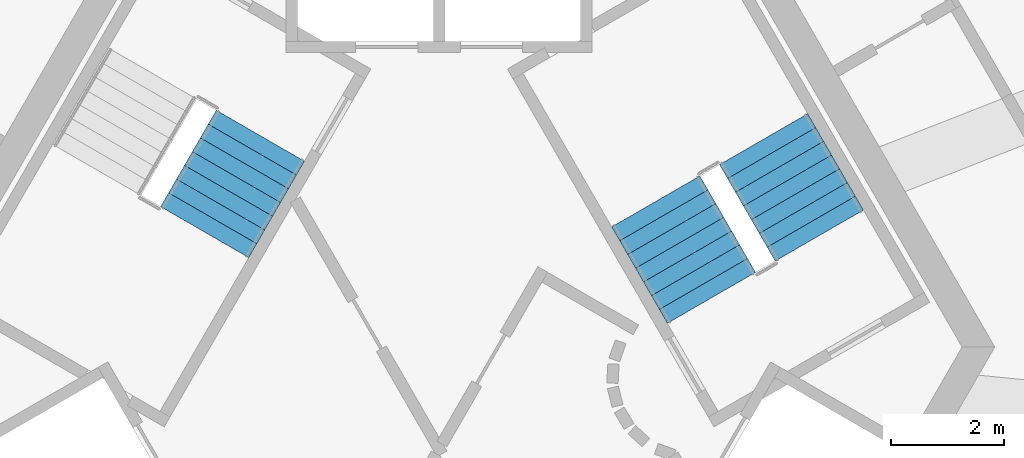
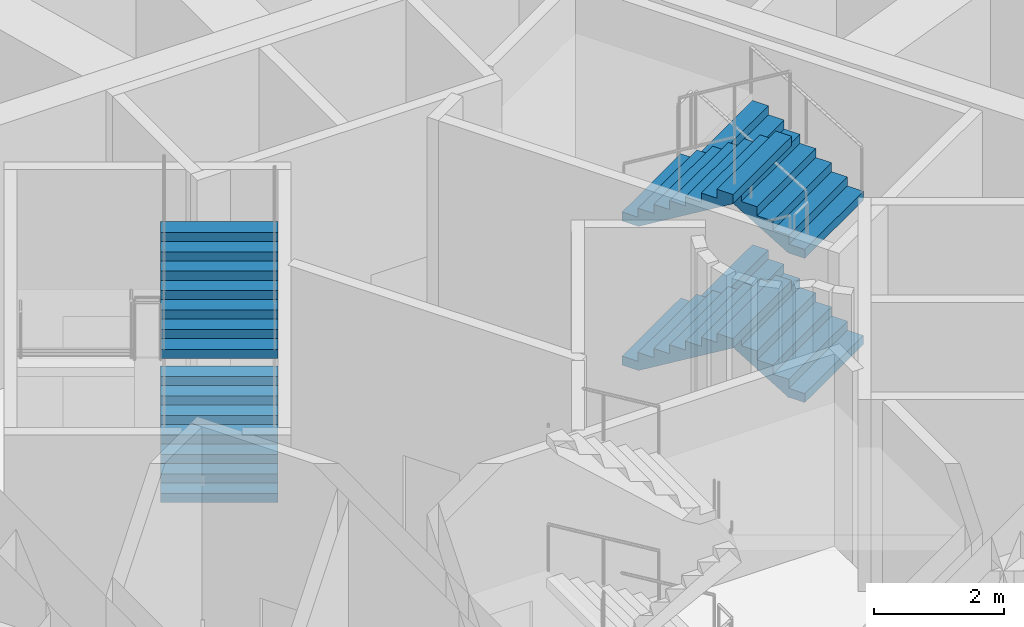
# One storey, part 9 of 15: 6 stair flights, 2 elements without a shape of their own.
"""IFC4 building model written with IfcOpenShell, lengths in metres."""

from ifc_helpers import new_model, si_unit, direction, frame, origin, place, context, subcontext, project, spatial, triangles, material, type_object, element, aggregate, save


model = new_model("IFC4")

# Units and contexts
model_context = context("Model", 3, precision=1e-05, world=origin(), true_north=direction((0.0, 1.0)))
body_context = subcontext(model_context, "Body", "Model", "MODEL_VIEW")
ifc_project = project(units=[si_unit("LENGTHUNIT", "METRE"), si_unit("AREAUNIT", "SQUARE_METRE"), si_unit("VOLUMEUNIT", "CUBIC_METRE"), si_unit("PLANEANGLEUNIT", "RADIAN"), si_unit("MASSUNIT", "GRAM", prefix="KILO")], contexts=[model_context])

# Site, building, storey
site_placement = place(None, origin())
site = spatial("IfcSite", under=ifc_project, at=site_placement, CompositionType="ELEMENT")
building_placement = place(site_placement, origin())
building = spatial("IfcBuilding", under=site, at=building_placement, Name="Entoto Arch Interchange Tower", CompositionType="ELEMENT")
storey_placement = place(building_placement, frame((0.0, 0.0, 326.0)))
storey = spatial("IfcBuildingStorey", under=building, at=storey_placement, Name="L77", CompositionType="ELEMENT", Elevation=326.0)

# Stair, stair flights
ifc_material = material(Name="Concrete C40/50", Category="concrete")
stair_type = type_object("IfcStairType", Name="EXIT STAIR RC 1800", PredefinedType="HALF_TURN_STAIR", material=ifc_material)
stair_1_placement = place(storey_placement, origin())
stair_1 = element("IfcStair", 1, at=stair_1_placement, inside=storey, type_object=stair_type, Name="L77 Exit stair NE", PredefinedType="HALF_TURN_STAIR")
stair_flight_type = type_object("IfcStairFlightType", Name="EXIT STAIR FLIGHT RC 1800", PredefinedType="STRAIGHT", material=ifc_material)
stair_flight_1_placement = place(storey_placement, frame((6.7138671875, 4.470947265625, 0.0), z_axis=(0.0, 0.0, 1.0), x_axis=(-0.5, 0.866025403784, 0.0)))
stair_flight_1 = element("IfcStairFlight", 2, at=stair_flight_1_placement, type_object=stair_flight_type, Name="ST-NE flight 1", NumberOfRisers=8, NumberOfTreads=7, PredefinedType="STRAIGHT", RiserHeight=0.16875, TreadLength=0.28, context=body_context, shape_type="Tessellation", body=[
    triangles([(-0.003, -0.900024, 0.0), (-0.003, -0.900024, 0.16875), (0.28, -0.900024, 0.16875), (0.28, -0.900024, 0.3375), (0.56, -0.900024, 0.3375), (0.56, -0.900024, 0.50625), (0.84, -0.900024, 0.50625), (0.84, -0.900024, 0.675), (1.12, -0.900024, 0.675), (1.12, -0.900024, 0.84375), (1.4, -0.900024, 0.84375), (1.4, -0.900024, 1.0125), (1.68, -0.900024, 1.0125), (1.68, -0.900024, 1.18125), (1.96, -0.900024, 1.18125), (1.963, -0.900024, 1.18125), (1.963, -0.900024, 1.008036), (0.290406, -0.900024, 0.0), (-0.003, 0.900024, 0.0), (-0.003, 0.900024, 0.16875), (0.28, 0.900024, 0.16875), (0.28, 0.900024, 0.3375), (0.56, 0.900024, 0.3375), (0.56, 0.900024, 0.50625), (0.84, 0.900024, 0.50625), (0.84, 0.900024, 0.675), (1.12, 0.900024, 0.675), (1.12, 0.900024, 0.84375), (1.4, 0.900024, 0.84375), (1.4, 0.900024, 1.0125), (1.68, 0.900024, 1.0125), (1.68, 0.900024, 1.18125), (1.96, 0.900024, 1.18125), (1.963, 0.900024, 1.18125), (1.963, 0.900024, 1.008036), (0.290406, 0.900024, 0.0), (-0.003, -0.450012, 0.0), (-0.003, -0.450012, 0.16875), (-0.003, 0.0, 0.0), (-0.003, 0.0, 0.16875), (-0.003, 0.450012, 0.0), (-0.003, 0.450012, 0.16875), (0.28, -0.450012, 0.16875), (0.28, 0.0, 0.16875), (0.28, 0.450012, 0.16875), (0.28, -0.450012, 0.3375), (0.28, 0.0, 0.3375), (0.28, 0.450012, 0.3375), (0.56, -0.450012, 0.3375), (0.56, 0.0, 0.3375), (0.56, 0.450012, 0.3375), (0.56, -0.450012, 0.50625), (0.56, 0.0, 0.50625), (0.56, 0.450012, 0.50625), (0.84, -0.450012, 0.50625), (0.84, 0.0, 0.50625), (0.84, 0.450012, 0.50625), (0.84, -0.450012, 0.675), (0.84, 0.0, 0.675), (0.84, 0.450012, 0.675), (1.12, -0.450012, 0.675), (1.12, 0.0, 0.675), (1.12, 0.450012, 0.675), (1.12, -0.450012, 0.84375), (1.12, 0.0, 0.84375), (1.12, 0.450012, 0.84375), (1.4, -0.450012, 0.84375), (1.4, 0.0, 0.84375), (1.4, 0.450012, 0.84375), (1.4, -0.450012, 1.0125), (1.4, 0.0, 1.0125), (1.4, 0.450012, 1.0125), (1.68, -0.450012, 1.0125), (1.68, 0.0, 1.0125), (1.68, 0.450012, 1.0125), (1.68, -0.450012, 1.18125), (1.68, 0.0, 1.18125), (1.68, 0.450012, 1.18125), (1.96, -0.450012, 1.18125), (1.96, 0.0, 1.18125), (1.96, 0.450012, 1.18125), (1.963, -0.450012, 1.18125), (1.963, 0.0, 1.18125), (1.963, 0.450012, 1.18125), (1.963, -0.450012, 1.008036), (1.963, 0.0, 1.008036), (1.963, 0.450012, 1.008036), (0.290406, -0.450012, 0.0), (0.290406, 0.0, 0.0), (0.290406, 0.450012, 0.0)], [[1, 18, 17], [17, 16, 15], [17, 15, 14], [17, 14, 13], [17, 13, 12], [17, 12, 11], [11, 10, 9], [17, 11, 9], [9, 8, 7], [17, 9, 7], [7, 6, 5], [17, 7, 5], [5, 4, 3], [17, 5, 3], [1, 17, 3], [3, 2, 1], [19, 35, 36], [35, 33, 34], [35, 32, 33], [35, 31, 32], [35, 30, 31], [35, 29, 30], [29, 27, 28], [35, 27, 29], [27, 25, 26], [35, 25, 27], [25, 23, 24], [35, 23, 25], [23, 21, 22], [35, 21, 23], [19, 21, 35], [21, 19, 20], [1, 2, 38], [1, 38, 37], [37, 38, 40], [37, 40, 39], [39, 40, 42], [39, 42, 41], [41, 42, 20], [41, 20, 19], [2, 3, 43], [2, 43, 38], [38, 43, 44], [38, 44, 40], [40, 44, 45], [40, 45, 42], [42, 45, 21], [42, 21, 20], [3, 4, 46], [3, 46, 43], [43, 46, 47], [43, 47, 44], [44, 47, 48], [44, 48, 45], [45, 48, 22], [45, 22, 21], [4, 5, 49], [4, 49, 46], [46, 49, 50], [46, 50, 47], [47, 50, 51], [47, 51, 48], [48, 51, 23], [48, 23, 22], [5, 6, 52], [5, 52, 49], [49, 52, 53], [49, 53, 50], [50, 53, 54], [50, 54, 51], [51, 54, 24], [51, 24, 23], [6, 7, 55], [6, 55, 52], [52, 55, 56], [52, 56, 53], [53, 56, 57], [53, 57, 54], [54, 57, 25], [54, 25, 24], [7, 8, 58], [7, 58, 55], [55, 58, 59], [55, 59, 56], [56, 59, 60], [56, 60, 57], [57, 60, 26], [57, 26, 25], [8, 9, 61], [8, 61, 58], [58, 61, 62], [58, 62, 59], [59, 62, 63], [59, 63, 60], [60, 63, 27], [60, 27, 26], [9, 10, 64], [9, 64, 61], [61, 64, 65], [61, 65, 62], [62, 65, 66], [62, 66, 63], [63, 66, 28], [63, 28, 27], [10, 11, 67], [10, 67, 64], [64, 67, 68], [64, 68, 65], [65, 68, 69], [65, 69, 66], [66, 69, 29], [66, 29, 28], [11, 12, 70], [11, 70, 67], [67, 70, 71], [67, 71, 68], [68, 71, 72], [68, 72, 69], [69, 72, 30], [69, 30, 29], [12, 13, 73], [12, 73, 70], [70, 73, 74], [70, 74, 71], [71, 74, 75], [71, 75, 72], [72, 75, 31], [72, 31, 30], [13, 14, 76], [13, 76, 73], [73, 76, 77], [73, 77, 74], [74, 77, 78], [74, 78, 75], [75, 78, 32], [75, 32, 31], [14, 15, 79], [14, 79, 76], [76, 79, 80], [76, 80, 77], [77, 80, 81], [77, 81, 78], [78, 81, 33], [78, 33, 32], [15, 16, 82], [15, 82, 79], [79, 82, 83], [79, 83, 80], [80, 83, 84], [80, 84, 81], [81, 84, 34], [81, 34, 33], [16, 17, 85], [16, 85, 82], [82, 85, 86], [82, 86, 83], [83, 86, 87], [83, 87, 84], [84, 87, 35], [84, 35, 34], [17, 18, 88], [17, 88, 85], [85, 88, 89], [85, 89, 86], [86, 89, 90], [86, 90, 87], [87, 90, 36], [87, 36, 35], [18, 1, 37], [18, 37, 88], [88, 37, 39], [88, 39, 89], [89, 39, 41], [89, 41, 90], [90, 41, 19], [90, 19, 36]], closed=True),
])
stair_flight_2_placement = place(storey_placement, frame((3.82861328125, 5.068359375, 1.35009765625), z_axis=(0.0, 0.0, 1.0), x_axis=(0.5, -0.866025403784, 0.0)))
stair_flight_2 = element("IfcStairFlight", 3, at=stair_flight_2_placement, type_object=stair_flight_type, Name="ST-NE flight 2", NumberOfRisers=8, NumberOfTreads=7, PredefinedType="STRAIGHT", RiserHeight=0.16875, TreadLength=0.28, context=body_context, shape_type="Tessellation", body=[
    triangles([(-0.003, -0.900024, 0.0), (-0.003, -0.900024, 0.16875), (0.28, -0.900024, 0.16875), (0.28, -0.900024, 0.3375), (0.56, -0.900024, 0.3375), (0.56, -0.900024, 0.50625), (0.84, -0.900024, 0.50625), (0.84, -0.900024, 0.675), (1.12, -0.900024, 0.675), (1.12, -0.900024, 0.84375), (1.4, -0.900024, 0.84375), (1.4, -0.900024, 1.0125), (1.68, -0.900024, 1.0125), (1.68, -0.900024, 1.18125), (1.96, -0.900024, 1.18125), (1.963, -0.900024, 1.18125), (1.963, -0.900024, 1.008036), (0.290406, -0.900024, 0.0), (-0.003, 0.900024, 0.0), (-0.003, 0.900024, 0.16875), (0.28, 0.900024, 0.16875), (0.28, 0.900024, 0.3375), (0.56, 0.900024, 0.3375), (0.56, 0.900024, 0.50625), (0.84, 0.900024, 0.50625), (0.84, 0.900024, 0.675), (1.12, 0.900024, 0.675), (1.12, 0.900024, 0.84375), (1.4, 0.900024, 0.84375), (1.4, 0.900024, 1.0125), (1.68, 0.900024, 1.0125), (1.68, 0.900024, 1.18125), (1.96, 0.900024, 1.18125), (1.963, 0.900024, 1.18125), (1.963, 0.900024, 1.008036), (0.290406, 0.900024, 0.0), (-0.003, -0.450012, 0.0), (-0.003, -0.450012, 0.16875), (-0.003, 0.0, 0.0), (-0.003, 0.0, 0.16875), (-0.003, 0.450012, 0.0), (-0.003, 0.450012, 0.16875), (0.28, -0.450012, 0.16875), (0.28, 0.0, 0.16875), (0.28, 0.450012, 0.16875), (0.28, -0.450012, 0.3375), (0.28, 0.0, 0.3375), (0.28, 0.450012, 0.3375), (0.56, -0.450012, 0.3375), (0.56, 0.0, 0.3375), (0.56, 0.450012, 0.3375), (0.56, -0.450012, 0.50625), (0.56, 0.0, 0.50625), (0.56, 0.450012, 0.50625), (0.84, -0.450012, 0.50625), (0.84, 0.0, 0.50625), (0.84, 0.450012, 0.50625), (0.84, -0.450012, 0.675), (0.84, 0.0, 0.675), (0.84, 0.450012, 0.675), (1.12, -0.450012, 0.675), (1.12, 0.0, 0.675), (1.12, 0.450012, 0.675), (1.12, -0.450012, 0.84375), (1.12, 0.0, 0.84375), (1.12, 0.450012, 0.84375), (1.4, -0.450012, 0.84375), (1.4, 0.0, 0.84375), (1.4, 0.450012, 0.84375), (1.4, -0.450012, 1.0125), (1.4, 0.0, 1.0125), (1.4, 0.450012, 1.0125), (1.68, -0.450012, 1.0125), (1.68, 0.0, 1.0125), (1.68, 0.450012, 1.0125), (1.68, -0.450012, 1.18125), (1.68, 0.0, 1.18125), (1.68, 0.450012, 1.18125), (1.96, -0.450012, 1.18125), (1.96, 0.0, 1.18125), (1.96, 0.450012, 1.18125), (1.963, -0.450012, 1.18125), (1.963, 0.0, 1.18125), (1.963, 0.450012, 1.18125), (1.963, -0.450012, 1.008036), (1.963, 0.0, 1.008036), (1.963, 0.450012, 1.008036), (0.290406, -0.450012, 0.0), (0.290406, 0.0, 0.0), (0.290406, 0.450012, 0.0)], [[1, 18, 17], [17, 16, 15], [17, 15, 14], [17, 14, 13], [17, 13, 12], [17, 12, 11], [11, 10, 9], [17, 11, 9], [9, 8, 7], [17, 9, 7], [7, 6, 5], [17, 7, 5], [5, 4, 3], [17, 5, 3], [1, 17, 3], [3, 2, 1], [19, 35, 36], [35, 33, 34], [35, 32, 33], [35, 31, 32], [35, 30, 31], [35, 29, 30], [29, 27, 28], [35, 27, 29], [27, 25, 26], [35, 25, 27], [25, 23, 24], [35, 23, 25], [23, 21, 22], [35, 21, 23], [19, 21, 35], [21, 19, 20], [1, 2, 38], [1, 38, 37], [37, 38, 40], [37, 40, 39], [39, 40, 42], [39, 42, 41], [41, 42, 20], [41, 20, 19], [2, 3, 43], [2, 43, 38], [38, 43, 44], [38, 44, 40], [40, 44, 45], [40, 45, 42], [42, 45, 21], [42, 21, 20], [3, 4, 46], [3, 46, 43], [43, 46, 47], [43, 47, 44], [44, 47, 48], [44, 48, 45], [45, 48, 22], [45, 22, 21], [4, 5, 49], [4, 49, 46], [46, 49, 50], [46, 50, 47], [47, 50, 51], [47, 51, 48], [48, 51, 23], [48, 23, 22], [5, 6, 52], [5, 52, 49], [49, 52, 53], [49, 53, 50], [50, 53, 54], [50, 54, 51], [51, 54, 24], [51, 24, 23], [6, 7, 55], [6, 55, 52], [52, 55, 56], [52, 56, 53], [53, 56, 57], [53, 57, 54], [54, 57, 25], [54, 25, 24], [7, 8, 58], [7, 58, 55], [55, 58, 59], [55, 59, 56], [56, 59, 60], [56, 60, 57], [57, 60, 26], [57, 26, 25], [8, 9, 61], [8, 61, 58], [58, 61, 62], [58, 62, 59], [59, 62, 63], [59, 63, 60], [60, 63, 27], [60, 27, 26], [9, 10, 64], [9, 64, 61], [61, 64, 65], [61, 65, 62], [62, 65, 66], [62, 66, 63], [63, 66, 28], [63, 28, 27], [10, 11, 67], [10, 67, 64], [64, 67, 68], [64, 68, 65], [65, 68, 69], [65, 69, 66], [66, 69, 29], [66, 29, 28], [11, 12, 70], [11, 70, 67], [67, 70, 71], [67, 71, 68], [68, 71, 72], [68, 72, 69], [69, 72, 30], [69, 30, 29], [12, 13, 73], [12, 73, 70], [70, 73, 74], [70, 74, 71], [71, 74, 75], [71, 75, 72], [72, 75, 31], [72, 31, 30], [13, 14, 76], [13, 76, 73], [73, 76, 77], [73, 77, 74], [74, 77, 78], [74, 78, 75], [75, 78, 32], [75, 32, 31], [14, 15, 79], [14, 79, 76], [76, 79, 80], [76, 80, 77], [77, 80, 81], [77, 81, 78], [78, 81, 33], [78, 33, 32], [15, 16, 82], [15, 82, 79], [79, 82, 83], [79, 83, 80], [80, 83, 84], [80, 84, 81], [81, 84, 34], [81, 34, 33], [16, 17, 85], [16, 85, 82], [82, 85, 86], [82, 86, 83], [83, 86, 87], [83, 87, 84], [84, 87, 35], [84, 35, 34], [17, 18, 88], [17, 88, 85], [85, 88, 89], [85, 89, 86], [86, 89, 90], [86, 90, 87], [87, 90, 36], [87, 36, 35], [18, 1, 37], [18, 37, 88], [88, 37, 39], [88, 39, 89], [89, 39, 41], [89, 41, 90], [90, 41, 19], [90, 19, 36]], closed=True),
])
stair_flight_3_placement = place(storey_placement, frame((6.7138671875, 4.470947265625, 2.699951171875), z_axis=(0.0, 0.0, 1.0), x_axis=(-0.5, 0.866025403784, 0.0)))
stair_flight_3 = element("IfcStairFlight", 4, at=stair_flight_3_placement, type_object=stair_flight_type, Name="ST-NE flight 3", NumberOfRisers=8, NumberOfTreads=7, PredefinedType="STRAIGHT", RiserHeight=0.16875, TreadLength=0.28, context=body_context, shape_type="Tessellation", body=[
    triangles([(-0.003, -0.900024, 0.0), (-0.003, -0.900024, 0.16875), (0.28, -0.900024, 0.16875), (0.28, -0.900024, 0.3375), (0.56, -0.900024, 0.3375), (0.56, -0.900024, 0.50625), (0.84, -0.900024, 0.50625), (0.84, -0.900024, 0.675), (1.12, -0.900024, 0.675), (1.12, -0.900024, 0.84375), (1.4, -0.900024, 0.84375), (1.4, -0.900024, 1.0125), (1.68, -0.900024, 1.0125), (1.68, -0.900024, 1.18125), (1.96, -0.900024, 1.18125), (1.963, -0.900024, 1.18125), (1.963, -0.900024, 1.008036), (0.290406, -0.900024, 0.0), (-0.003, 0.900024, 0.0), (-0.003, 0.900024, 0.16875), (0.28, 0.900024, 0.16875), (0.28, 0.900024, 0.3375), (0.56, 0.900024, 0.3375), (0.56, 0.900024, 0.50625), (0.84, 0.900024, 0.50625), (0.84, 0.900024, 0.675), (1.12, 0.900024, 0.675), (1.12, 0.900024, 0.84375), (1.4, 0.900024, 0.84375), (1.4, 0.900024, 1.0125), (1.68, 0.900024, 1.0125), (1.68, 0.900024, 1.18125), (1.96, 0.900024, 1.18125), (1.963, 0.900024, 1.18125), (1.963, 0.900024, 1.008036), (0.290406, 0.900024, 0.0), (-0.003, -0.450012, 0.0), (-0.003, -0.450012, 0.16875), (-0.003, 0.0, 0.0), (-0.003, 0.0, 0.16875), (-0.003, 0.450012, 0.0), (-0.003, 0.450012, 0.16875), (0.28, -0.450012, 0.16875), (0.28, 0.0, 0.16875), (0.28, 0.450012, 0.16875), (0.28, -0.450012, 0.3375), (0.28, 0.0, 0.3375), (0.28, 0.450012, 0.3375), (0.56, -0.450012, 0.3375), (0.56, 0.0, 0.3375), (0.56, 0.450012, 0.3375), (0.56, -0.450012, 0.50625), (0.56, 0.0, 0.50625), (0.56, 0.450012, 0.50625), (0.84, -0.450012, 0.50625), (0.84, 0.0, 0.50625), (0.84, 0.450012, 0.50625), (0.84, -0.450012, 0.675), (0.84, 0.0, 0.675), (0.84, 0.450012, 0.675), (1.12, -0.450012, 0.675), (1.12, 0.0, 0.675), (1.12, 0.450012, 0.675), (1.12, -0.450012, 0.84375), (1.12, 0.0, 0.84375), (1.12, 0.450012, 0.84375), (1.4, -0.450012, 0.84375), (1.4, 0.0, 0.84375), (1.4, 0.450012, 0.84375), (1.4, -0.450012, 1.0125), (1.4, 0.0, 1.0125), (1.4, 0.450012, 1.0125), (1.68, -0.450012, 1.0125), (1.68, 0.0, 1.0125), (1.68, 0.450012, 1.0125), (1.68, -0.450012, 1.18125), (1.68, 0.0, 1.18125), (1.68, 0.450012, 1.18125), (1.96, -0.450012, 1.18125), (1.96, 0.0, 1.18125), (1.96, 0.450012, 1.18125), (1.963, -0.450012, 1.18125), (1.963, 0.0, 1.18125), (1.963, 0.450012, 1.18125), (1.963, -0.450012, 1.008036), (1.963, 0.0, 1.008036), (1.963, 0.450012, 1.008036), (0.290406, -0.450012, 0.0), (0.290406, 0.0, 0.0), (0.290406, 0.450012, 0.0)], [[1, 18, 17], [17, 16, 15], [17, 15, 14], [17, 14, 13], [17, 13, 12], [17, 12, 11], [11, 10, 9], [17, 11, 9], [9, 8, 7], [17, 9, 7], [7, 6, 5], [17, 7, 5], [5, 4, 3], [17, 5, 3], [1, 17, 3], [3, 2, 1], [19, 35, 36], [35, 33, 34], [35, 32, 33], [35, 31, 32], [35, 30, 31], [35, 29, 30], [29, 27, 28], [35, 27, 29], [27, 25, 26], [35, 25, 27], [25, 23, 24], [35, 23, 25], [23, 21, 22], [35, 21, 23], [19, 21, 35], [21, 19, 20], [1, 2, 38], [1, 38, 37], [37, 38, 40], [37, 40, 39], [39, 40, 42], [39, 42, 41], [41, 42, 20], [41, 20, 19], [2, 3, 43], [2, 43, 38], [38, 43, 44], [38, 44, 40], [40, 44, 45], [40, 45, 42], [42, 45, 21], [42, 21, 20], [3, 4, 46], [3, 46, 43], [43, 46, 47], [43, 47, 44], [44, 47, 48], [44, 48, 45], [45, 48, 22], [45, 22, 21], [4, 5, 49], [4, 49, 46], [46, 49, 50], [46, 50, 47], [47, 50, 51], [47, 51, 48], [48, 51, 23], [48, 23, 22], [5, 6, 52], [5, 52, 49], [49, 52, 53], [49, 53, 50], [50, 53, 54], [50, 54, 51], [51, 54, 24], [51, 24, 23], [6, 7, 55], [6, 55, 52], [52, 55, 56], [52, 56, 53], [53, 56, 57], [53, 57, 54], [54, 57, 25], [54, 25, 24], [7, 8, 58], [7, 58, 55], [55, 58, 59], [55, 59, 56], [56, 59, 60], [56, 60, 57], [57, 60, 26], [57, 26, 25], [8, 9, 61], [8, 61, 58], [58, 61, 62], [58, 62, 59], [59, 62, 63], [59, 63, 60], [60, 63, 27], [60, 27, 26], [9, 10, 64], [9, 64, 61], [61, 64, 65], [61, 65, 62], [62, 65, 66], [62, 66, 63], [63, 66, 28], [63, 28, 27], [10, 11, 67], [10, 67, 64], [64, 67, 68], [64, 68, 65], [65, 68, 69], [65, 69, 66], [66, 69, 29], [66, 29, 28], [11, 12, 70], [11, 70, 67], [67, 70, 71], [67, 71, 68], [68, 71, 72], [68, 72, 69], [69, 72, 30], [69, 30, 29], [12, 13, 73], [12, 73, 70], [70, 73, 74], [70, 74, 71], [71, 74, 75], [71, 75, 72], [72, 75, 31], [72, 31, 30], [13, 14, 76], [13, 76, 73], [73, 76, 77], [73, 77, 74], [74, 77, 78], [74, 78, 75], [75, 78, 32], [75, 32, 31], [14, 15, 79], [14, 79, 76], [76, 79, 80], [76, 80, 77], [77, 80, 81], [77, 81, 78], [78, 81, 33], [78, 33, 32], [15, 16, 82], [15, 82, 79], [79, 82, 83], [79, 83, 80], [80, 83, 84], [80, 84, 81], [81, 84, 34], [81, 34, 33], [16, 17, 85], [16, 85, 82], [82, 85, 86], [82, 86, 83], [83, 86, 87], [83, 87, 84], [84, 87, 35], [84, 35, 34], [17, 18, 88], [17, 88, 85], [85, 88, 89], [85, 89, 86], [86, 89, 90], [86, 90, 87], [87, 90, 36], [87, 36, 35], [18, 1, 37], [18, 37, 88], [88, 37, 39], [88, 39, 89], [89, 39, 41], [89, 41, 90], [90, 41, 19], [90, 19, 36]], closed=True),
])
stair_flight_4_placement = place(storey_placement, frame((3.82861328125, 5.068359375, 4.050048828125), z_axis=(0.0, 0.0, 1.0), x_axis=(0.5, -0.866025403784, 0.0)))
stair_flight_4 = element("IfcStairFlight", 5, at=stair_flight_4_placement, type_object=stair_flight_type, Name="ST-NE flight 4", NumberOfRisers=8, NumberOfTreads=7, PredefinedType="STRAIGHT", RiserHeight=0.16875, TreadLength=0.28, context=body_context, shape_type="Tessellation", body=[
    triangles([(-0.003, -0.900024, 0.0), (-0.003, -0.900024, 0.16875), (0.28, -0.900024, 0.16875), (0.28, -0.900024, 0.3375), (0.56, -0.900024, 0.3375), (0.56, -0.900024, 0.50625), (0.84, -0.900024, 0.50625), (0.84, -0.900024, 0.675), (1.12, -0.900024, 0.675), (1.12, -0.900024, 0.84375), (1.4, -0.900024, 0.84375), (1.4, -0.900024, 1.0125), (1.68, -0.900024, 1.0125), (1.68, -0.900024, 1.18125), (1.96, -0.900024, 1.18125), (1.963, -0.900024, 1.18125), (1.963, -0.900024, 1.008036), (0.290406, -0.900024, 0.0), (-0.003, 0.900024, 0.0), (-0.003, 0.900024, 0.16875), (0.28, 0.900024, 0.16875), (0.28, 0.900024, 0.3375), (0.56, 0.900024, 0.3375), (0.56, 0.900024, 0.50625), (0.84, 0.900024, 0.50625), (0.84, 0.900024, 0.675), (1.12, 0.900024, 0.675), (1.12, 0.900024, 0.84375), (1.4, 0.900024, 0.84375), (1.4, 0.900024, 1.0125), (1.68, 0.900024, 1.0125), (1.68, 0.900024, 1.18125), (1.96, 0.900024, 1.18125), (1.963, 0.900024, 1.18125), (1.963, 0.900024, 1.008036), (0.290406, 0.900024, 0.0), (-0.003, -0.450012, 0.0), (-0.003, -0.450012, 0.16875), (-0.003, 0.0, 0.0), (-0.003, 0.0, 0.16875), (-0.003, 0.450012, 0.0), (-0.003, 0.450012, 0.16875), (0.28, -0.450012, 0.16875), (0.28, 0.0, 0.16875), (0.28, 0.450012, 0.16875), (0.28, -0.450012, 0.3375), (0.28, 0.0, 0.3375), (0.28, 0.450012, 0.3375), (0.56, -0.450012, 0.3375), (0.56, 0.0, 0.3375), (0.56, 0.450012, 0.3375), (0.56, -0.450012, 0.50625), (0.56, 0.0, 0.50625), (0.56, 0.450012, 0.50625), (0.84, -0.450012, 0.50625), (0.84, 0.0, 0.50625), (0.84, 0.450012, 0.50625), (0.84, -0.450012, 0.675), (0.84, 0.0, 0.675), (0.84, 0.450012, 0.675), (1.12, -0.450012, 0.675), (1.12, 0.0, 0.675), (1.12, 0.450012, 0.675), (1.12, -0.450012, 0.84375), (1.12, 0.0, 0.84375), (1.12, 0.450012, 0.84375), (1.4, -0.450012, 0.84375), (1.4, 0.0, 0.84375), (1.4, 0.450012, 0.84375), (1.4, -0.450012, 1.0125), (1.4, 0.0, 1.0125), (1.4, 0.450012, 1.0125), (1.68, -0.450012, 1.0125), (1.68, 0.0, 1.0125), (1.68, 0.450012, 1.0125), (1.68, -0.450012, 1.18125), (1.68, 0.0, 1.18125), (1.68, 0.450012, 1.18125), (1.96, -0.450012, 1.18125), (1.96, 0.0, 1.18125), (1.96, 0.450012, 1.18125), (1.963, -0.450012, 1.18125), (1.963, 0.0, 1.18125), (1.963, 0.450012, 1.18125), (1.963, -0.450012, 1.008036), (1.963, 0.0, 1.008036), (1.963, 0.450012, 1.008036), (0.290406, -0.450012, 0.0), (0.290406, 0.0, 0.0), (0.290406, 0.450012, 0.0)], [[1, 18, 17], [17, 16, 15], [17, 15, 14], [17, 14, 13], [17, 13, 12], [17, 12, 11], [11, 10, 9], [17, 11, 9], [9, 8, 7], [17, 9, 7], [7, 6, 5], [17, 7, 5], [5, 4, 3], [17, 5, 3], [1, 17, 3], [3, 2, 1], [19, 35, 36], [35, 33, 34], [35, 32, 33], [35, 31, 32], [35, 30, 31], [35, 29, 30], [29, 27, 28], [35, 27, 29], [27, 25, 26], [35, 25, 27], [25, 23, 24], [35, 23, 25], [23, 21, 22], [35, 21, 23], [19, 21, 35], [21, 19, 20], [1, 2, 38], [1, 38, 37], [37, 38, 40], [37, 40, 39], [39, 40, 42], [39, 42, 41], [41, 42, 20], [41, 20, 19], [2, 3, 43], [2, 43, 38], [38, 43, 44], [38, 44, 40], [40, 44, 45], [40, 45, 42], [42, 45, 21], [42, 21, 20], [3, 4, 46], [3, 46, 43], [43, 46, 47], [43, 47, 44], [44, 47, 48], [44, 48, 45], [45, 48, 22], [45, 22, 21], [4, 5, 49], [4, 49, 46], [46, 49, 50], [46, 50, 47], [47, 50, 51], [47, 51, 48], [48, 51, 23], [48, 23, 22], [5, 6, 52], [5, 52, 49], [49, 52, 53], [49, 53, 50], [50, 53, 54], [50, 54, 51], [51, 54, 24], [51, 24, 23], [6, 7, 55], [6, 55, 52], [52, 55, 56], [52, 56, 53], [53, 56, 57], [53, 57, 54], [54, 57, 25], [54, 25, 24], [7, 8, 58], [7, 58, 55], [55, 58, 59], [55, 59, 56], [56, 59, 60], [56, 60, 57], [57, 60, 26], [57, 26, 25], [8, 9, 61], [8, 61, 58], [58, 61, 62], [58, 62, 59], [59, 62, 63], [59, 63, 60], [60, 63, 27], [60, 27, 26], [9, 10, 64], [9, 64, 61], [61, 64, 65], [61, 65, 62], [62, 65, 66], [62, 66, 63], [63, 66, 28], [63, 28, 27], [10, 11, 67], [10, 67, 64], [64, 67, 68], [64, 68, 65], [65, 68, 69], [65, 69, 66], [66, 69, 29], [66, 29, 28], [11, 12, 70], [11, 70, 67], [67, 70, 71], [67, 71, 68], [68, 71, 72], [68, 72, 69], [69, 72, 30], [69, 30, 29], [12, 13, 73], [12, 73, 70], [70, 73, 74], [70, 74, 71], [71, 74, 75], [71, 75, 72], [72, 75, 31], [72, 31, 30], [13, 14, 76], [13, 76, 73], [73, 76, 77], [73, 77, 74], [74, 77, 78], [74, 78, 75], [75, 78, 32], [75, 32, 31], [14, 15, 79], [14, 79, 76], [76, 79, 80], [76, 80, 77], [77, 80, 81], [77, 81, 78], [78, 81, 33], [78, 33, 32], [15, 16, 82], [15, 82, 79], [79, 82, 83], [79, 83, 80], [80, 83, 84], [80, 84, 81], [81, 84, 34], [81, 34, 33], [16, 17, 85], [16, 85, 82], [82, 85, 86], [82, 86, 83], [83, 86, 87], [83, 87, 84], [84, 87, 35], [84, 35, 34], [17, 18, 88], [17, 88, 85], [85, 88, 89], [85, 89, 86], [86, 89, 90], [86, 90, 87], [87, 90, 36], [87, 36, 35], [18, 1, 37], [18, 37, 88], [88, 37, 39], [88, 39, 89], [89, 39, 41], [89, 41, 90], [90, 41, 19], [90, 19, 36]], closed=True),
])
aggregate(stair_1, [stair_flight_1, stair_flight_2, stair_flight_3, stair_flight_4])

stair_2_placement = place(storey_placement, origin())
stair_2 = element("IfcStair", 6, at=stair_2_placement, inside=storey, type_object=stair_type, Name="L77 Exit stair NW", PredefinedType="HALF_TURN_STAIR")
stair_flight_5_placement = place(storey_placement, frame((-4.138671875, 4.531494140625, 1.35009765625), z_axis=(0.0, 0.0, 1.0), x_axis=(0.5, 0.866025403784, 0.0)))
stair_flight_5 = element("IfcStairFlight", 7, at=stair_flight_5_placement, type_object=stair_flight_type, Name="ST-NW flight 2", NumberOfRisers=8, NumberOfTreads=7, PredefinedType="STRAIGHT", RiserHeight=0.16875, TreadLength=0.28, context=body_context, shape_type="Tessellation", body=[
    triangles([(-0.003, -0.900024, 0.0), (-0.003, -0.900024, 0.16875), (0.28, -0.900024, 0.16875), (0.28, -0.900024, 0.3375), (0.56, -0.900024, 0.3375), (0.56, -0.900024, 0.50625), (0.84, -0.900024, 0.50625), (0.84, -0.900024, 0.675), (1.12, -0.900024, 0.675), (1.12, -0.900024, 0.84375), (1.4, -0.900024, 0.84375), (1.4, -0.900024, 1.0125), (1.68, -0.900024, 1.0125), (1.68, -0.900024, 1.18125), (1.96, -0.900024, 1.18125), (1.963, -0.900024, 1.18125), (1.963, -0.900024, 1.008036), (0.290406, -0.900024, 0.0), (-0.003, 0.900024, 0.0), (-0.003, 0.900024, 0.16875), (0.28, 0.900024, 0.16875), (0.28, 0.900024, 0.3375), (0.56, 0.900024, 0.3375), (0.56, 0.900024, 0.50625), (0.84, 0.900024, 0.50625), (0.84, 0.900024, 0.675), (1.12, 0.900024, 0.675), (1.12, 0.900024, 0.84375), (1.4, 0.900024, 0.84375), (1.4, 0.900024, 1.0125), (1.68, 0.900024, 1.0125), (1.68, 0.900024, 1.18125), (1.96, 0.900024, 1.18125), (1.963, 0.900024, 1.18125), (1.963, 0.900024, 1.008036), (0.290406, 0.900024, 0.0), (-0.003, -0.450012, 0.0), (-0.003, -0.450012, 0.16875), (-0.003, 0.0, 0.0), (-0.003, 0.0, 0.16875), (-0.003, 0.450012, 0.0), (-0.003, 0.450012, 0.16875), (0.28, -0.450012, 0.16875), (0.28, 0.0, 0.16875), (0.28, 0.450012, 0.16875), (0.28, -0.450012, 0.3375), (0.28, 0.0, 0.3375), (0.28, 0.450012, 0.3375), (0.56, -0.450012, 0.3375), (0.56, 0.0, 0.3375), (0.56, 0.450012, 0.3375), (0.56, -0.450012, 0.50625), (0.56, 0.0, 0.50625), (0.56, 0.450012, 0.50625), (0.84, -0.450012, 0.50625), (0.84, 0.0, 0.50625), (0.84, 0.450012, 0.50625), (0.84, -0.450012, 0.675), (0.84, 0.0, 0.675), (0.84, 0.450012, 0.675), (1.12, -0.450012, 0.675), (1.12, 0.0, 0.675), (1.12, 0.450012, 0.675), (1.12, -0.450012, 0.84375), (1.12, 0.0, 0.84375), (1.12, 0.450012, 0.84375), (1.4, -0.450012, 0.84375), (1.4, 0.0, 0.84375), (1.4, 0.450012, 0.84375), (1.4, -0.450012, 1.0125), (1.4, 0.0, 1.0125), (1.4, 0.450012, 1.0125), (1.68, -0.450012, 1.0125), (1.68, 0.0, 1.0125), (1.68, 0.450012, 1.0125), (1.68, -0.450012, 1.18125), (1.68, 0.0, 1.18125), (1.68, 0.450012, 1.18125), (1.96, -0.450012, 1.18125), (1.96, 0.0, 1.18125), (1.96, 0.450012, 1.18125), (1.963, -0.450012, 1.18125), (1.963, 0.0, 1.18125), (1.963, 0.450012, 1.18125), (1.963, -0.450012, 1.008036), (1.963, 0.0, 1.008036), (1.963, 0.450012, 1.008036), (0.290406, -0.450012, 0.0), (0.290406, 0.0, 0.0), (0.290406, 0.450012, 0.0)], [[1, 18, 17], [17, 16, 15], [17, 15, 14], [17, 14, 13], [17, 13, 12], [17, 12, 11], [11, 10, 9], [17, 11, 9], [9, 8, 7], [17, 9, 7], [7, 6, 5], [17, 7, 5], [5, 4, 3], [17, 5, 3], [1, 17, 3], [3, 2, 1], [19, 35, 36], [35, 33, 34], [35, 32, 33], [35, 31, 32], [35, 30, 31], [35, 29, 30], [29, 27, 28], [35, 27, 29], [27, 25, 26], [35, 25, 27], [25, 23, 24], [35, 23, 25], [23, 21, 22], [35, 21, 23], [19, 21, 35], [21, 19, 20], [1, 2, 38], [1, 38, 37], [37, 38, 40], [37, 40, 39], [39, 40, 42], [39, 42, 41], [41, 42, 20], [41, 20, 19], [2, 3, 43], [2, 43, 38], [38, 43, 44], [38, 44, 40], [40, 44, 45], [40, 45, 42], [42, 45, 21], [42, 21, 20], [3, 4, 46], [3, 46, 43], [43, 46, 47], [43, 47, 44], [44, 47, 48], [44, 48, 45], [45, 48, 22], [45, 22, 21], [4, 5, 49], [4, 49, 46], [46, 49, 50], [46, 50, 47], [47, 50, 51], [47, 51, 48], [48, 51, 23], [48, 23, 22], [5, 6, 52], [5, 52, 49], [49, 52, 53], [49, 53, 50], [50, 53, 54], [50, 54, 51], [51, 54, 24], [51, 24, 23], [6, 7, 55], [6, 55, 52], [52, 55, 56], [52, 56, 53], [53, 56, 57], [53, 57, 54], [54, 57, 25], [54, 25, 24], [7, 8, 58], [7, 58, 55], [55, 58, 59], [55, 59, 56], [56, 59, 60], [56, 60, 57], [57, 60, 26], [57, 26, 25], [8, 9, 61], [8, 61, 58], [58, 61, 62], [58, 62, 59], [59, 62, 63], [59, 63, 60], [60, 63, 27], [60, 27, 26], [9, 10, 64], [9, 64, 61], [61, 64, 65], [61, 65, 62], [62, 65, 66], [62, 66, 63], [63, 66, 28], [63, 28, 27], [10, 11, 67], [10, 67, 64], [64, 67, 68], [64, 68, 65], [65, 68, 69], [65, 69, 66], [66, 69, 29], [66, 29, 28], [11, 12, 70], [11, 70, 67], [67, 70, 71], [67, 71, 68], [68, 71, 72], [68, 72, 69], [69, 72, 30], [69, 30, 29], [12, 13, 73], [12, 73, 70], [70, 73, 74], [70, 74, 71], [71, 74, 75], [71, 75, 72], [72, 75, 31], [72, 31, 30], [13, 14, 76], [13, 76, 73], [73, 76, 77], [73, 77, 74], [74, 77, 78], [74, 78, 75], [75, 78, 32], [75, 32, 31], [14, 15, 79], [14, 79, 76], [76, 79, 80], [76, 80, 77], [77, 80, 81], [77, 81, 78], [78, 81, 33], [78, 33, 32], [15, 16, 82], [15, 82, 79], [79, 82, 83], [79, 83, 80], [80, 83, 84], [80, 84, 81], [81, 84, 34], [81, 34, 33], [16, 17, 85], [16, 85, 82], [82, 85, 86], [82, 86, 83], [83, 86, 87], [83, 87, 84], [84, 87, 35], [84, 35, 34], [17, 18, 88], [17, 88, 85], [85, 88, 89], [85, 89, 86], [86, 89, 90], [86, 90, 87], [87, 90, 36], [87, 36, 35], [18, 1, 37], [18, 37, 88], [88, 37, 39], [88, 39, 89], [89, 39, 41], [89, 41, 90], [90, 41, 19], [90, 19, 36]], closed=True),
])
stair_flight_6_placement = place(storey_placement, frame((-4.138671875, 4.531494140625, 4.050048828125), z_axis=(0.0, 0.0, 1.0), x_axis=(0.5, 0.866025403784, 0.0)))
stair_flight_6 = element("IfcStairFlight", 8, at=stair_flight_6_placement, type_object=stair_flight_type, Name="ST-NW flight 4", NumberOfRisers=8, NumberOfTreads=7, PredefinedType="STRAIGHT", RiserHeight=0.16875, TreadLength=0.28, context=body_context, shape_type="Tessellation", body=[
    triangles([(-0.003, -0.900024, 0.0), (-0.003, -0.900024, 0.16875), (0.28, -0.900024, 0.16875), (0.28, -0.900024, 0.3375), (0.56, -0.900024, 0.3375), (0.56, -0.900024, 0.50625), (0.84, -0.900024, 0.50625), (0.84, -0.900024, 0.675), (1.12, -0.900024, 0.675), (1.12, -0.900024, 0.84375), (1.4, -0.900024, 0.84375), (1.4, -0.900024, 1.0125), (1.68, -0.900024, 1.0125), (1.68, -0.900024, 1.18125), (1.96, -0.900024, 1.18125), (1.963, -0.900024, 1.18125), (1.963, -0.900024, 1.008036), (0.290406, -0.900024, 0.0), (-0.003, 0.900024, 0.0), (-0.003, 0.900024, 0.16875), (0.28, 0.900024, 0.16875), (0.28, 0.900024, 0.3375), (0.56, 0.900024, 0.3375), (0.56, 0.900024, 0.50625), (0.84, 0.900024, 0.50625), (0.84, 0.900024, 0.675), (1.12, 0.900024, 0.675), (1.12, 0.900024, 0.84375), (1.4, 0.900024, 0.84375), (1.4, 0.900024, 1.0125), (1.68, 0.900024, 1.0125), (1.68, 0.900024, 1.18125), (1.96, 0.900024, 1.18125), (1.963, 0.900024, 1.18125), (1.963, 0.900024, 1.008036), (0.290406, 0.900024, 0.0), (-0.003, -0.450012, 0.0), (-0.003, -0.450012, 0.16875), (-0.003, 0.0, 0.0), (-0.003, 0.0, 0.16875), (-0.003, 0.450012, 0.0), (-0.003, 0.450012, 0.16875), (0.28, -0.450012, 0.16875), (0.28, 0.0, 0.16875), (0.28, 0.450012, 0.16875), (0.28, -0.450012, 0.3375), (0.28, 0.0, 0.3375), (0.28, 0.450012, 0.3375), (0.56, -0.450012, 0.3375), (0.56, 0.0, 0.3375), (0.56, 0.450012, 0.3375), (0.56, -0.450012, 0.50625), (0.56, 0.0, 0.50625), (0.56, 0.450012, 0.50625), (0.84, -0.450012, 0.50625), (0.84, 0.0, 0.50625), (0.84, 0.450012, 0.50625), (0.84, -0.450012, 0.675), (0.84, 0.0, 0.675), (0.84, 0.450012, 0.675), (1.12, -0.450012, 0.675), (1.12, 0.0, 0.675), (1.12, 0.450012, 0.675), (1.12, -0.450012, 0.84375), (1.12, 0.0, 0.84375), (1.12, 0.450012, 0.84375), (1.4, -0.450012, 0.84375), (1.4, 0.0, 0.84375), (1.4, 0.450012, 0.84375), (1.4, -0.450012, 1.0125), (1.4, 0.0, 1.0125), (1.4, 0.450012, 1.0125), (1.68, -0.450012, 1.0125), (1.68, 0.0, 1.0125), (1.68, 0.450012, 1.0125), (1.68, -0.450012, 1.18125), (1.68, 0.0, 1.18125), (1.68, 0.450012, 1.18125), (1.96, -0.450012, 1.18125), (1.96, 0.0, 1.18125), (1.96, 0.450012, 1.18125), (1.963, -0.450012, 1.18125), (1.963, 0.0, 1.18125), (1.963, 0.450012, 1.18125), (1.963, -0.450012, 1.008036), (1.963, 0.0, 1.008036), (1.963, 0.450012, 1.008036), (0.290406, -0.450012, 0.0), (0.290406, 0.0, 0.0), (0.290406, 0.450012, 0.0)], [[1, 18, 17], [17, 16, 15], [17, 15, 14], [17, 14, 13], [17, 13, 12], [17, 12, 11], [11, 10, 9], [17, 11, 9], [9, 8, 7], [17, 9, 7], [7, 6, 5], [17, 7, 5], [5, 4, 3], [17, 5, 3], [1, 17, 3], [3, 2, 1], [19, 35, 36], [35, 33, 34], [35, 32, 33], [35, 31, 32], [35, 30, 31], [35, 29, 30], [29, 27, 28], [35, 27, 29], [27, 25, 26], [35, 25, 27], [25, 23, 24], [35, 23, 25], [23, 21, 22], [35, 21, 23], [19, 21, 35], [21, 19, 20], [1, 2, 38], [1, 38, 37], [37, 38, 40], [37, 40, 39], [39, 40, 42], [39, 42, 41], [41, 42, 20], [41, 20, 19], [2, 3, 43], [2, 43, 38], [38, 43, 44], [38, 44, 40], [40, 44, 45], [40, 45, 42], [42, 45, 21], [42, 21, 20], [3, 4, 46], [3, 46, 43], [43, 46, 47], [43, 47, 44], [44, 47, 48], [44, 48, 45], [45, 48, 22], [45, 22, 21], [4, 5, 49], [4, 49, 46], [46, 49, 50], [46, 50, 47], [47, 50, 51], [47, 51, 48], [48, 51, 23], [48, 23, 22], [5, 6, 52], [5, 52, 49], [49, 52, 53], [49, 53, 50], [50, 53, 54], [50, 54, 51], [51, 54, 24], [51, 24, 23], [6, 7, 55], [6, 55, 52], [52, 55, 56], [52, 56, 53], [53, 56, 57], [53, 57, 54], [54, 57, 25], [54, 25, 24], [7, 8, 58], [7, 58, 55], [55, 58, 59], [55, 59, 56], [56, 59, 60], [56, 60, 57], [57, 60, 26], [57, 26, 25], [8, 9, 61], [8, 61, 58], [58, 61, 62], [58, 62, 59], [59, 62, 63], [59, 63, 60], [60, 63, 27], [60, 27, 26], [9, 10, 64], [9, 64, 61], [61, 64, 65], [61, 65, 62], [62, 65, 66], [62, 66, 63], [63, 66, 28], [63, 28, 27], [10, 11, 67], [10, 67, 64], [64, 67, 68], [64, 68, 65], [65, 68, 69], [65, 69, 66], [66, 69, 29], [66, 29, 28], [11, 12, 70], [11, 70, 67], [67, 70, 71], [67, 71, 68], [68, 71, 72], [68, 72, 69], [69, 72, 30], [69, 30, 29], [12, 13, 73], [12, 73, 70], [70, 73, 74], [70, 74, 71], [71, 74, 75], [71, 75, 72], [72, 75, 31], [72, 31, 30], [13, 14, 76], [13, 76, 73], [73, 76, 77], [73, 77, 74], [74, 77, 78], [74, 78, 75], [75, 78, 32], [75, 32, 31], [14, 15, 79], [14, 79, 76], [76, 79, 80], [76, 80, 77], [77, 80, 81], [77, 81, 78], [78, 81, 33], [78, 33, 32], [15, 16, 82], [15, 82, 79], [79, 82, 83], [79, 83, 80], [80, 83, 84], [80, 84, 81], [81, 84, 34], [81, 34, 33], [16, 17, 85], [16, 85, 82], [82, 85, 86], [82, 86, 83], [83, 86, 87], [83, 87, 84], [84, 87, 35], [84, 35, 34], [17, 18, 88], [17, 88, 85], [85, 88, 89], [85, 89, 86], [86, 89, 90], [86, 90, 87], [87, 90, 36], [87, 36, 35], [18, 1, 37], [18, 37, 88], [88, 37, 39], [88, 39, 89], [89, 39, 41], [89, 41, 90], [90, 41, 19], [90, 19, 36]], closed=True),
])
aggregate(stair_2, [stair_flight_5, stair_flight_6])

save(model, "model.ifc")
